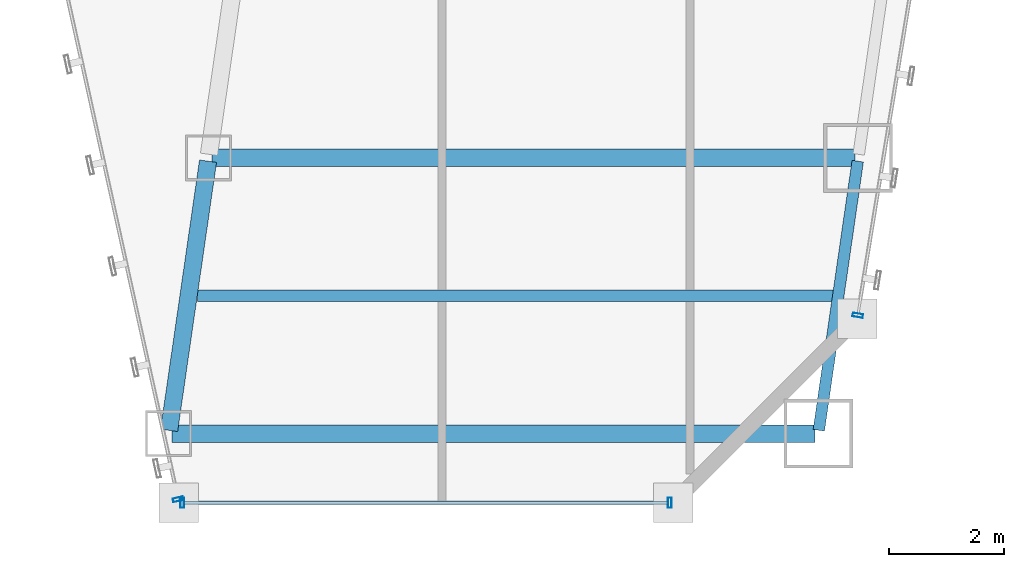
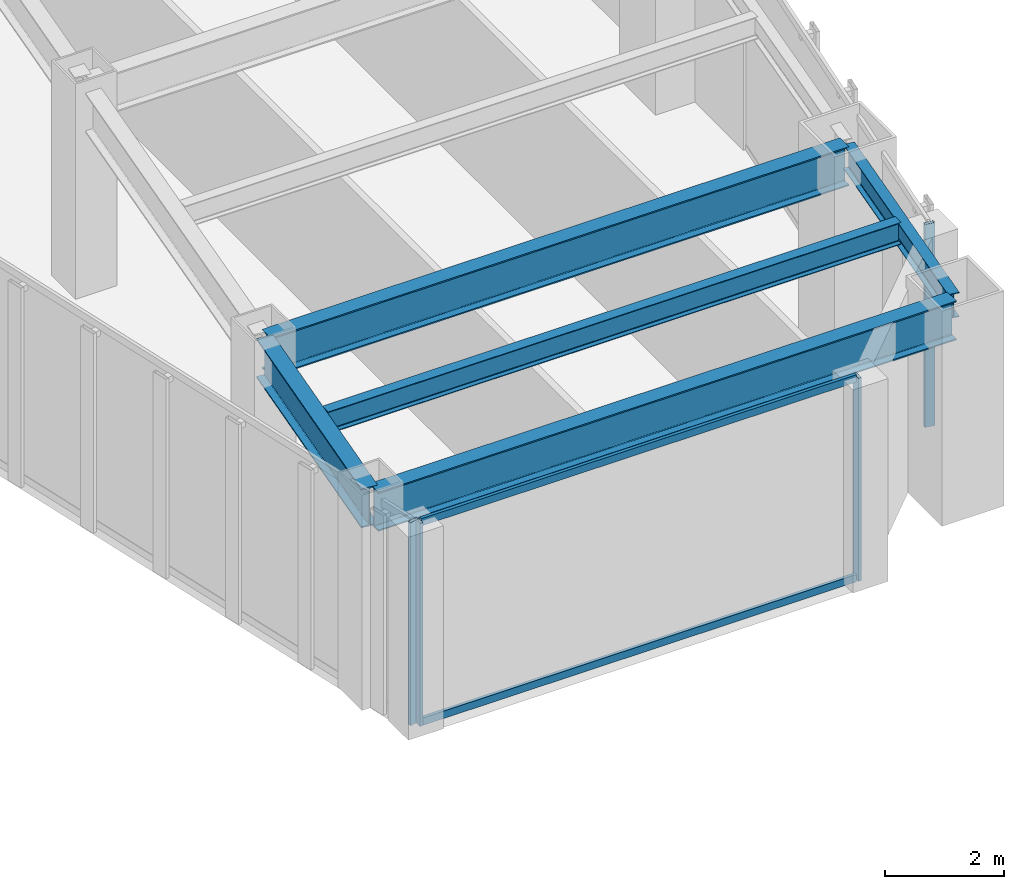
# One storey, part 15 of 47: 6 members, 5 beams, 3 elements without a shape of their own.
"""IFC4 building model written with IfcOpenShell, lengths in metres."""

from ifc_helpers import new_model, si_unit, direction, frame, origin, origin_2d, place, context, subcontext, project, spatial, hollow_rectangle, i_section, extrude, material, material_profile, profile_set, type_object, element, aggregate, save


model = new_model("IFC4")

# Units and contexts
model_context = context("Model", 3, precision=1e-05, world=origin(), true_north=direction((0.0, 1.0)))
body_context = subcontext(model_context, "Body", "Model", "MODEL_VIEW")
ifc_project = project(units=[si_unit("LENGTHUNIT", "METRE"), si_unit("AREAUNIT", "SQUARE_METRE"), si_unit("VOLUMEUNIT", "CUBIC_METRE"), si_unit("PLANEANGLEUNIT", "RADIAN"), si_unit("MASSUNIT", "GRAM", prefix="KILO")], contexts=[model_context])

# Site, building, storey
site_placement = place(None, origin())
site = spatial("IfcSite", under=ifc_project, at=site_placement, CompositionType="ELEMENT")
building_placement = place(site_placement, origin())
building = spatial("IfcBuilding", under=site, at=building_placement, Name="Saevonmaru Cultural Tower", CompositionType="ELEMENT")
storey_placement = place(building_placement, frame((0.0, 0.0, 56.0)))
storey = spatial("IfcBuildingStorey", under=building, at=storey_placement, Name="L11", CompositionType="ELEMENT", Elevation=56.0)

# Beams
ifc_material_1 = material(Name="Steel SM420", Category="steel")
ifc_material_profile_1 = material_profile(ifc_material_1, i_section(OverallWidth=0.300048828125, OverallDepth=0.800048828125, WebThickness=0.013916015625, FlangeThickness=0.02587890625, FilletRadius=0.028076171875, at=origin_2d()), Name="H-800x300x14x26")
ifc_profile_set_1 = profile_set([ifc_material_profile_1], Name="Steel SM420")
beam_type_1 = type_object("IfcBeamType", Name="BM-G-H800", PredefinedType="BEAM", material=ifc_profile_set_1)
beam_1_placement = place(storey_placement, frame((36.231689453125, 3.259521484375, 3.75), z_axis=(0.143083234893, 0.989710658674, 0.0), x_axis=(-0.989710658674, 0.143083234893, 0.0)))
element("IfcBeam", 1, at=beam_1_placement, inside=storey, type_object=beam_type_1, Name="L11 East Atrium Girder 1", PredefinedType="BEAM", context=body_context, shape_type="SweptSolid", body=[
    extrude(i_section(OverallWidth=0.300048828125, OverallDepth=0.800048828125, WebThickness=0.013916015625, FlangeThickness=0.02587890625, FilletRadius=0.028076171875, at=origin_2d()), origin(), (0.0, 0.0, 1.0), 4.729736328125),
])
for number, where, z_axis, x_axis, name in (
    (2, (36.282958984375, 3.199951171875, 3.75), (1.0, 0.0, 0.0), (0.0, 1.0, 0.0), "L11 East Wing Transverse Girder 1"),
    (3, (36.97705078125, 8.0, 3.75), (1.0, 0.0, 0.0), (0.0, 1.0, 0.0), "L11 East Wing Transverse Girder 2"),
):
    element("IfcBeam", number, at=place(storey_placement, frame(where, z_axis=z_axis, x_axis=x_axis)), inside=storey, type_object=beam_type_1, Name=name, PredefinedType="BEAM", context=body_context, shape_type="SweptSolid", body=[
        extrude(i_section(OverallWidth=0.300048828125, OverallDepth=0.800048828125, WebThickness=0.013916015625, FlangeThickness=0.02587890625, FilletRadius=0.028076171875, at=origin_2d()), origin(), (0.0, 0.0, 1.0), 11.179931640625),
    ])
ifc_material_2 = material(Name="Steel SM355", Category="steel")
ifc_material_profile_2 = material_profile(ifc_material_2, i_section(OverallWidth=0.199951171875, OverallDepth=0.449951171875, WebThickness=0.009033203125, FlangeThickness=0.013916015625, FilletRadius=0.01806640625, at=origin_2d()), Name="H-450x200x9x14")
ifc_profile_set_2 = profile_set([ifc_material_profile_2], Name="Steel SM355")
beam_type_2 = type_object("IfcBeamType", Name="BM-J-H450", PredefinedType="JOIST", material=ifc_profile_set_2)
beam_2_placement = place(storey_placement, frame((36.72802734375, 5.60009765625, 3.925048828125), z_axis=(1.0, 0.0, 0.0), x_axis=(0.0, 1.0, 0.0)))
element("IfcBeam", 4, at=beam_2_placement, inside=storey, type_object=beam_type_2, Name="L11 East Wing Floor Joist 1", PredefinedType="JOIST", context=body_context, shape_type="SweptSolid", body=[
    extrude(i_section(OverallWidth=0.199951171875, OverallDepth=0.449951171875, WebThickness=0.009033203125, FlangeThickness=0.013916015625, FilletRadius=0.01806640625, at=origin_2d()), origin(), (0.0, 0.0, 1.0), 11.08203125),
])
ifc_material_profile_3 = material_profile(ifc_material_2, i_section(OverallWidth=0.199951171875, OverallDepth=0.5, WebThickness=0.010009765625, FlangeThickness=0.01611328125, FilletRadius=0.02001953125, at=origin_2d()), Name="H-500x200x10x16")
ifc_profile_set_3 = profile_set([ifc_material_profile_3], Name="Steel SM355")
beam_type_3 = type_object("IfcBeamType", Name="BM-SP-H500", PredefinedType="SPANDREL", material=ifc_profile_set_3)
beam_3_placement = place(storey_placement, frame((47.531494140625, 3.259521484375, 3.89990234375), z_axis=(0.14313379491, 0.989703347855, 0.0), x_axis=(-0.989703347855, 0.14313379491, 0.0)))
element("IfcBeam", 5, at=beam_3_placement, inside=storey, type_object=beam_type_3, Name="L11 East Splayed Spandrel 1", PredefinedType="SPANDREL", context=body_context, shape_type="SweptSolid", body=[
    extrude(i_section(OverallWidth=0.199951171875, OverallDepth=0.5, WebThickness=0.010009765625, FlangeThickness=0.01611328125, FilletRadius=0.02001953125, at=origin_2d()), origin(), (0.0, 0.0, 1.0), 4.729736328125),
])

# Curtain wall, member
ifc_material_3 = material(Name="Satin Bronze Anodised Aluminium", Category="aluminium")
curtain_wall_type = type_object("IfcCurtainWallType", Name="CW-TYP-A", PredefinedType="NOTDEFINED", material=ifc_material_3)
curtain_wall_1_placement = place(storey_placement, origin())
curtain_wall_1 = element("IfcCurtainWall", 6, at=curtain_wall_1_placement, inside=storey, type_object=curtain_wall_type, Name="L11 Unitised Curtain Wall E5", PredefinedType="NOTDEFINED")
ifc_material_profile_4 = material_profile(ifc_material_3, hollow_rectangle(XDim=0.06494140625, YDim=0.179931640625, WallThickness=0.00390625, at=origin_2d()), Name="ALU-MULL-180x65x4")
ifc_profile_set_4 = profile_set([ifc_material_profile_4], Name="Satin Bronze Anodised Aluminium")
member_type_1 = type_object("IfcMemberType", Name="ML-CW-180x65", PredefinedType="MULLION", material=ifc_profile_set_4)
member_1_placement = place(storey_placement, frame((36.38720703125, 2.05859375, 0.0), z_axis=(0.0, 0.0, 1.0), x_axis=(0.215413319953, -0.976522965212, 0.0)))
member_1 = element("IfcMember", 7, at=member_1_placement, type_object=member_type_1, Name="CW-TW-L11-E5 mullion 2", PredefinedType="MULLION", context=body_context, shape_type="SweptSolid", body=[
    extrude(hollow_rectangle(XDim=0.06494140625, YDim=0.179931640625, WallThickness=0.00390625, at=origin_2d()), origin(), (0.0, 0.0, 1.0), 4.14990234375),
])
aggregate(curtain_wall_1, [member_1])

# Curtain wall, members
curtain_wall_2_placement = place(storey_placement, origin())
curtain_wall_2 = element("IfcCurtainWall", 8, at=curtain_wall_2_placement, inside=storey, type_object=curtain_wall_type, Name="L11 Unitised Curtain Wall E6", PredefinedType="NOTDEFINED")
member_2_placement = place(storey_placement, frame((36.4599609375, 2.0, 0.0), z_axis=(0.0, 0.0, 1.0), x_axis=(1.0, 0.0, 0.0)))
member_2 = element("IfcMember", 9, at=member_2_placement, type_object=member_type_1, Name="CW-TW-L11-E6 mullion 1", PredefinedType="MULLION", context=body_context, shape_type="SweptSolid", body=[
    extrude(hollow_rectangle(XDim=0.06494140625, YDim=0.179931640625, WallThickness=0.00390625, at=origin_2d()), origin(), (0.0, 0.0, 1.0), 4.14990234375),
])
member_3_placement = place(storey_placement, frame((44.93994140625, 2.0, 0.0), z_axis=(0.0, 0.0, 1.0), x_axis=(1.0, 0.0, 0.0)))
member_3 = element("IfcMember", 10, at=member_3_placement, type_object=member_type_1, Name="CW-TW-L11-E6 mullion 2", PredefinedType="MULLION", context=body_context, shape_type="SweptSolid", body=[
    extrude(hollow_rectangle(XDim=0.06494140625, YDim=0.179931640625, WallThickness=0.00390625, at=origin_2d()), origin(), (0.0, 0.0, 1.0), 4.14990234375),
])

# Curtain wall, member
curtain_wall_3_placement = place(storey_placement, origin())
curtain_wall_3 = element("IfcCurtainWall", 11, at=curtain_wall_3_placement, inside=storey, type_object=curtain_wall_type, Name="L11 Unitised Curtain Wall E8", PredefinedType="NOTDEFINED")
member_4_placement = place(storey_placement, frame((48.209716796875, 5.25927734375, 0.0), z_axis=(0.0, 0.0, 1.0), x_axis=(0.161708868641, 0.986838508472, 0.0)))
member_4 = element("IfcMember", 12, at=member_4_placement, type_object=member_type_1, Name="CW-TW-L11-E8 mullion 1", PredefinedType="MULLION", context=body_context, shape_type="SweptSolid", body=[
    extrude(hollow_rectangle(XDim=0.06494140625, YDim=0.179931640625, WallThickness=0.00390625, at=origin_2d()), origin(), (0.0, 0.0, 1.0), 4.14990234375),
])
aggregate(curtain_wall_3, [member_4])

# Member
ifc_material_profile_5 = material_profile(ifc_material_3, hollow_rectangle(XDim=0.06494140625, YDim=0.14990234375, WallThickness=0.00390625, at=origin_2d()), Name="ALU-TRAN-150x65x4")
ifc_profile_set_5 = profile_set([ifc_material_profile_5], Name="Satin Bronze Anodised Aluminium")
member_type_2 = type_object("IfcMemberType", Name="TR-CW-150x65", PredefinedType="USERDEFINED", material=ifc_profile_set_5)
member_5_placement = place(storey_placement, frame((36.492431640625, 2.0, 0.032470703125), z_axis=(1.0, 0.0, 0.0), x_axis=(0.0, 1.0, 0.0)))
member_5 = element("IfcMember", 13, at=member_5_placement, type_object=member_type_2, Name="CW-TW-L11-E6 transom 1.1", ObjectType="TRANSOM", PredefinedType="USERDEFINED", context=body_context, shape_type="SweptSolid", body=[
    extrude(hollow_rectangle(XDim=0.06494140625, YDim=0.14990234375, WallThickness=0.00390625, at=origin_2d()), origin(), (0.0, 0.0, 1.0), 8.4150390625),
])

member_6_placement = place(storey_placement, frame((36.492431640625, 2.0, 4.117431640625), z_axis=(1.0, 0.0, 0.0), x_axis=(0.0, 1.0, 0.0)))
member_6 = element("IfcMember", 14, at=member_6_placement, type_object=member_type_2, Name="CW-TW-L11-E6 transom 1.2", ObjectType="TRANSOM", PredefinedType="USERDEFINED", context=body_context, shape_type="SweptSolid", body=[
    extrude(hollow_rectangle(XDim=0.06494140625, YDim=0.14990234375, WallThickness=0.00390625, at=origin_2d()), origin(), (0.0, 0.0, 1.0), 8.4150390625),
])

aggregate(curtain_wall_2, [member_2, member_3, member_5, member_6])

save(model, "model.ifc")
